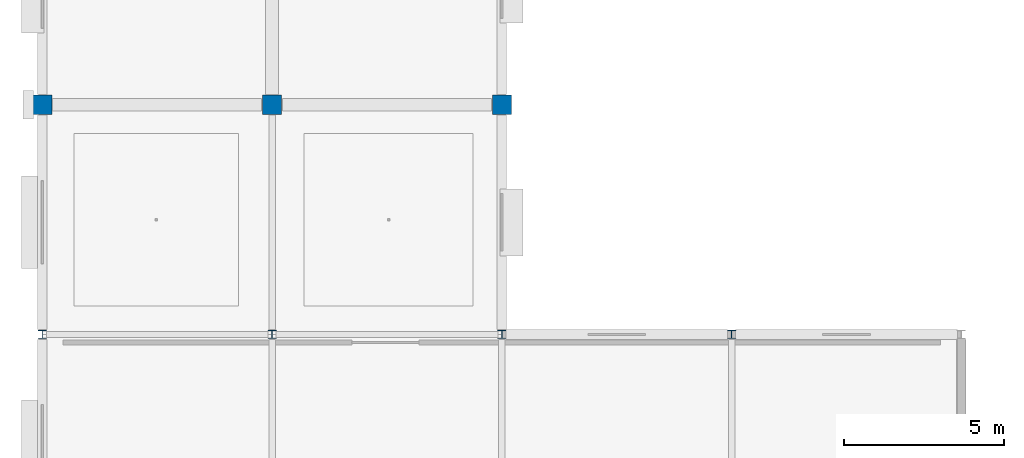
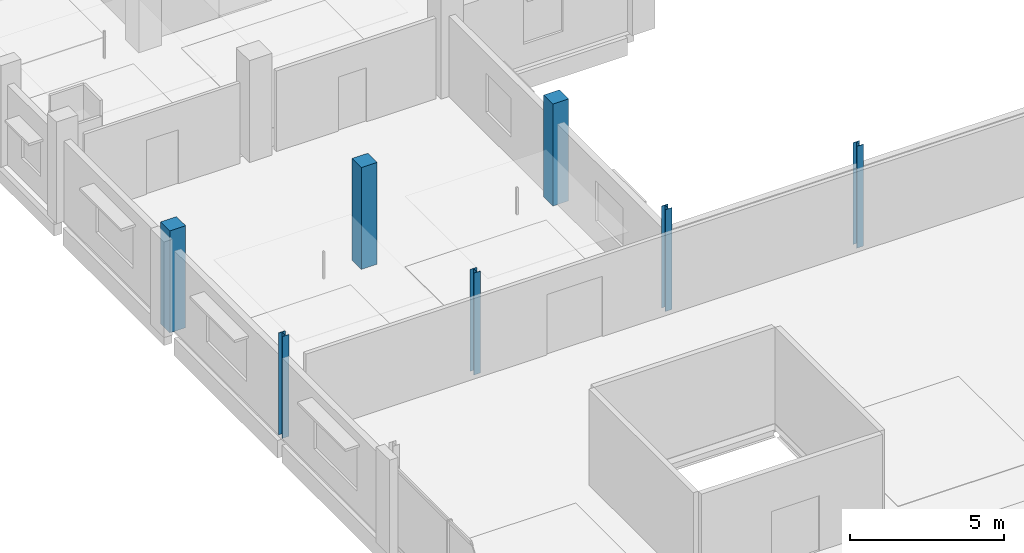
# One storey, part 3 of 107: 7 columns.
"""IFC4 building model written with IfcOpenShell, lengths in metres."""

import ifcopenshell
import ifcopenshell.guid

model = None  # the IFC model being written
_history = None  # IfcOwnerHistory: only IFC2X3 demands one
_inside = {}  # id of a spatial element -> (the spatial element, [elements in it])
_under = {}  # id of a project, library or spatial element -> (it, [spatial elements below it])
_declared = {}  # id of a project -> (the project, [libraries it declares])
_typed = {}  # id of a type object -> (the type object, [elements of that type])
_made_of = {}  # id of a material, layer set ... -> (it, [elements and type objects made of it])


def new_model(schema):
    """Start an empty IFC model of exactly this schema.

    Asked for "IFC4X3", IfcOpenShell would pick the latest addendum, in which some entities
    have other attributes; the version numbers below select the first issue.
    IFC2X3 requires an IfcOwnerHistory on every rooted entity: one is made here for all.
    """
    global model, _history
    if schema == "IFC4X3":
        model = ifcopenshell.file(schema_version=(4, 3, 0, 0))
    else:
        model = ifcopenshell.file(schema=schema)
    _inside.clear()
    _under.clear()
    _declared.clear()
    _typed.clear()
    _made_of.clear()
    _history = None
    if model.schema == "IFC2X3":
        org = make("IfcOrganization", Name="unknown")
        user = make(
            "IfcPersonAndOrganization",
            ThePerson=make("IfcPerson", FamilyName="unknown"),
            TheOrganization=org,
        )
        app = make(
            "IfcApplication",
            ApplicationDeveloper=org,
            Version="unknown",
            ApplicationFullName="unknown",
            ApplicationIdentifier="unknown",
        )
        _history = make(
            "IfcOwnerHistory",
            OwningUser=user,
            OwningApplication=app,
            ChangeAction="ADDED",
            CreationDate=0,
        )
    return model


def make(cls, **values):
    """One entity of the class cls with the attributes given. An attribute that is None is left unset."""
    return model.create_entity(
        cls, **{name: value for name, value in values.items() if value is not None}
    )


def rooted(cls, **values):
    """An entity with a GlobalId (a new one), such as an element, a storey or a relation."""
    return make(cls, GlobalId=ifcopenshell.guid.new(), OwnerHistory=_history, **values)


def si_unit(unit_type, name, prefix=None):
    """IfcSIUnit, for example si_unit("LENGTHUNIT", "METRE", prefix="MILLI")."""
    return make("IfcSIUnit", UnitType=unit_type, Prefix=prefix, Name=name)


def assignment(units):
    """IfcUnitAssignment: the units of a project."""
    return None if units is None else make("IfcUnitAssignment", Units=units)


def point(xyz):
    """IfcCartesianPoint."""
    return None if xyz is None else make("IfcCartesianPoint", Coordinates=xyz)


def direction(xyz):
    """IfcDirection."""
    return None if xyz is None else make("IfcDirection", DirectionRatios=xyz)


def frame(location, z_axis=None, x_axis=None):
    """IfcAxis2Placement3D, a coordinate frame: its origin and axes. An axis left out is left unset."""
    return make(
        "IfcAxis2Placement3D",
        Location=point(location),
        Axis=direction(z_axis),
        RefDirection=direction(x_axis),
    )


def frame_2d(location, x_axis=None):
    """IfcAxis2Placement2D, a coordinate frame in the plane: its origin and x axis."""
    return make(
        "IfcAxis2Placement2D", Location=point(location), RefDirection=direction(x_axis)
    )


def origin():
    """The frame at (0, 0, 0) with its axes left unset."""
    return frame((0.0, 0.0, 0.0))


def origin_2d():
    """The frame at (0, 0) in the plane with its x axis left unset."""
    return frame_2d((0.0, 0.0))


def place(relative_to, where):
    """IfcLocalPlacement: puts the frame where relative to a parent placement (None: the world)."""
    return make(
        "IfcLocalPlacement", PlacementRelTo=relative_to, RelativePlacement=where
    )


def context(
    kind, dimensions, precision=None, world=None, true_north=None, identifier=None
):
    """IfcGeometricRepresentationContext, for example the 3D "Model" context."""
    return make(
        "IfcGeometricRepresentationContext",
        ContextIdentifier=identifier,
        ContextType=kind,
        CoordinateSpaceDimension=dimensions,
        Precision=precision,
        WorldCoordinateSystem=world,
        TrueNorth=true_north,
    )


def subcontext(parent, identifier, kind, view, scale=None):
    """IfcGeometricRepresentationSubContext, for example "Body" below "Model"."""
    return make(
        "IfcGeometricRepresentationSubContext",
        ContextIdentifier=identifier,
        ContextType=kind,
        ParentContext=parent,
        TargetScale=scale,
        TargetView=view,
    )


def project(units=None, contexts=None):
    """IfcProject with its units and contexts."""
    return rooted(
        "IfcProject",
        Name="project",
        RepresentationContexts=contexts,
        UnitsInContext=assignment(units),
    )


def spatial(cls, under=None, at=None, **own):
    """A site, building, storey or space (cls), placed at a placement, below another one or the project."""
    s = rooted(cls, ObjectPlacement=at, **own)
    if under is not None:
        _under.setdefault(under.id(), (under, []))[1].append(s)
    return s


def profile(cls, at=None, kind="AREA", **sizes):
    """A parametric profile (cls). Its sizes go by their IFC names, for example OverallWidth=200.0."""
    return make(cls, ProfileType=kind, Position=at, **sizes)


def rectangle(**sizes):
    """IfcRectangleProfileDef."""
    return profile("IfcRectangleProfileDef", **sizes)


def i_section(**sizes):
    """IfcIShapeProfileDef."""
    return profile("IfcIShapeProfileDef", **sizes)


def extrude(swept, where, along, depth):
    """IfcExtrudedAreaSolid: the profile swept, set in the frame where, extruded along a direction by depth."""
    return make(
        "IfcExtrudedAreaSolid",
        SweptArea=swept,
        Position=where,
        ExtrudedDirection=direction(along),
        Depth=depth,
    )


def shape(context_of_items, identifier, shape_type, items):
    """IfcShapeRepresentation: the items that make up one representation, for example the "Body"."""
    return make(
        "IfcShapeRepresentation",
        ContextOfItems=context_of_items,
        RepresentationIdentifier=identifier,
        RepresentationType=shape_type,
        Items=items,
    )


def material(Name=None, Category=None):
    """IfcMaterial."""
    return make("IfcMaterial", Name=Name, Category=Category)


def material_profile(
    of_material, cross_section, Name=None, Category=None, Priority=None
):
    """IfcMaterialProfile: a cross section and its material."""
    return make(
        "IfcMaterialProfile",
        Name=Name,
        Material=of_material,
        Profile=cross_section,
        Priority=Priority,
        Category=Category,
    )


def profile_set(profiles, Name=None, composite=None):
    """IfcMaterialProfileSet."""
    return make(
        "IfcMaterialProfileSet",
        Name=Name,
        MaterialProfiles=profiles,
        CompositeProfile=composite,
    )


def made_of(thing, what):
    """Note that an element or type object is made of a material, layer set ...; save() writes the relation."""
    if what is not None:
        _made_of.setdefault(what.id(), (what, []))[1].append(thing)
    return thing


def type_object(cls, material=None, **own):
    """A type object (cls), such as IfcWallType, which elements share."""
    return made_of(rooted(cls, **own), material)


def element(
    cls,
    number,
    at=None,
    inside=None,
    cuts=None,
    type_object=None,
    material=None,
    context=None,
    identifier="Body",
    shape_type=None,
    held_by="IfcProductDefinitionShape",
    body=None,
    shapes=None,
    **own,
):
    """One element of the class cls, such as IfcWall. Its Tag is "e" and its number.

    at: its placement. inside: the storey or other place that contains it. cuts: it is an
    opening in that element (IfcRelVoidsElement). A single representation is given by context,
    identifier, shape_type and body (its items); several are given by shapes. held_by: the class
    of the entity that holds the representations. save() writes the other relations.
    """
    e = rooted(cls, Tag="e%d" % number, ObjectPlacement=at, **own)
    if body is not None:
        shapes = [shape(context, identifier, shape_type, body)]
    if shapes is not None:
        e.Representation = make(held_by, Representations=shapes)
    if inside is not None:
        _inside.setdefault(inside.id(), (inside, []))[1].append(e)
    if cuts is not None:
        rooted(
            "IfcRelVoidsElement", RelatingBuildingElement=cuts, RelatedOpeningElement=e
        )
    if type_object is not None:
        _typed.setdefault(type_object.id(), (type_object, []))[1].append(e)
    return made_of(e, material)


def aggregate(whole, parts):
    """IfcRelAggregates: a whole, such as a stair, and the parts it consists of."""
    return rooted("IfcRelAggregates", RelatingObject=whole, RelatedObjects=parts)


def save(model, path):
    """Write the relations noted so far, then the file.

    IfcRelAggregates (storeys below a building ...), IfcRelContainedInSpatialStructure (elements
    in a storey), IfcRelDefinesByType, IfcRelAssociatesMaterial and IfcRelDeclares: one each for
    every whole, place, type object, material and project.
    """
    for whole, parts in _under.values():
        aggregate(whole, parts)
    for where, things in _inside.values():
        rooted(
            "IfcRelContainedInSpatialStructure",
            RelatedElements=things,
            RelatingStructure=where,
        )
    for kind, things in _typed.values():
        rooted("IfcRelDefinesByType", RelatedObjects=things, RelatingType=kind)
    for what, things in _made_of.values():
        rooted("IfcRelAssociatesMaterial", RelatedObjects=things, RelatingMaterial=what)
    for by, libraries in _declared.values():
        rooted("IfcRelDeclares", RelatingContext=by, RelatedDefinitions=libraries)
    model.write(path)


model = new_model("IFC4")

# Units and contexts
model_context = context("Model", 3, precision=1e-05, world=origin(), true_north=direction((0.0, 1.0)))
body_context = subcontext(model_context, "Body", "Model", "MODEL_VIEW")
ifc_project = project(units=[si_unit("LENGTHUNIT", "METRE"), si_unit("AREAUNIT", "SQUARE_METRE"), si_unit("VOLUMEUNIT", "CUBIC_METRE"), si_unit("PLANEANGLEUNIT", "RADIAN"), si_unit("MASSUNIT", "GRAM", prefix="KILO")], contexts=[model_context])

# Site, building, storey
site_placement = place(None, origin())
site = spatial("IfcSite", under=ifc_project, at=site_placement, CompositionType="ELEMENT")
building_placement = place(site_placement, origin())
building = spatial("IfcBuilding", under=site, at=building_placement, Name="Kangsadwip Square Police Headquarters", CompositionType="ELEMENT")
storey_placement = place(building_placement, frame((0.0, 0.0, 5.39990234375)))
storey = spatial("IfcBuildingStorey", under=building, at=storey_placement, Name="L01", CompositionType="ELEMENT", Elevation=5.39990234375)

# Columns
ifc_material_1 = material(Name="Concrete M35 (35 MPa)", Category="concrete")
ifc_material_profile_1 = material_profile(ifc_material_1, rectangle(XDim=0.60009765625, YDim=0.60009765625, at=origin_2d()), Name="RC COL 600X600")
ifc_profile_set_1 = profile_set([ifc_material_profile_1], Name="Concrete M35 (35 MPa)")
column_type_1 = type_object("IfcColumnType", Name="RcCol600x600", PredefinedType="COLUMN", material=ifc_profile_set_1)
for number, where, z_axis, x_axis, name in (
    (1, (0.0, 28.800048828125, 0.0), (0.0, 0.0, 1.0), (1.0, 0.0, 0.0), "Column COL-L01-00-04"),
    (2, (7.199951171875, 28.800048828125, 0.0), (0.0, 0.0, 1.0), (1.0, 0.0, 0.0), "Column COL-L01-01-04"),
    (3, (14.39990234375, 28.800048828125, 0.0), (0.0, 0.0, 1.0), (1.0, 0.0, 0.0), "Column COL-L01-02-04"),
):
    element("IfcColumn", number, at=place(storey_placement, frame(where, z_axis=z_axis, x_axis=x_axis)), inside=storey, type_object=column_type_1, Name=name, PredefinedType="COLUMN", context=body_context, shape_type="SweptSolid", body=[
        extrude(rectangle(XDim=0.60009765625, YDim=0.60009765625, at=origin_2d()), origin(), (0.0, 0.0, 1.0), 4.050048828125),
    ])
ifc_material_2 = material(Name="Structural steel IS 2062 E350 (Grade 350, 350 MPa)", Category="steel")
ifc_material_profile_2 = material_profile(ifc_material_2, i_section(OverallWidth=0.25, OverallDepth=0.25, WebThickness=0.0087890625, FlangeThickness=0.009765625, at=origin_2d()), Name="ISHB 250")
ifc_profile_set_2 = profile_set([ifc_material_profile_2], Name="Structural steel IS 2062 E350 (Grade 350, 350 MPa)")
column_type_2 = type_object("IfcColumnType", Name="SteelColIshb250", PredefinedType="COLUMN", material=ifc_profile_set_2)
for number, where, z_axis, x_axis, name in (
    (4, (0.0, 21.60009765625, 0.0), (0.0, 0.0, 1.0), (1.0, 0.0, 0.0), "Column COL-L01-00-03"),
    (5, (7.199951171875, 21.60009765625, 0.0), (0.0, 0.0, 1.0), (1.0, 0.0, 0.0), "Column COL-L01-01-03"),
    (6, (14.39990234375, 21.60009765625, 0.0), (0.0, 0.0, 1.0), (1.0, 0.0, 0.0), "Column COL-L01-02-03"),
    (7, (21.60009765625, 21.60009765625, 0.0), (0.0, 0.0, 1.0), (1.0, 0.0, 0.0), "Column COL-L01-03-03"),
):
    element("IfcColumn", number, at=place(storey_placement, frame(where, z_axis=z_axis, x_axis=x_axis)), inside=storey, type_object=column_type_2, Name=name, PredefinedType="COLUMN", context=body_context, shape_type="SweptSolid", body=[
        extrude(i_section(OverallWidth=0.25, OverallDepth=0.25, WebThickness=0.0087890625, FlangeThickness=0.009765625, at=origin_2d()), origin(), (0.0, 0.0, 1.0), 4.050048828125),
    ])

save(model, "model.ifc")
